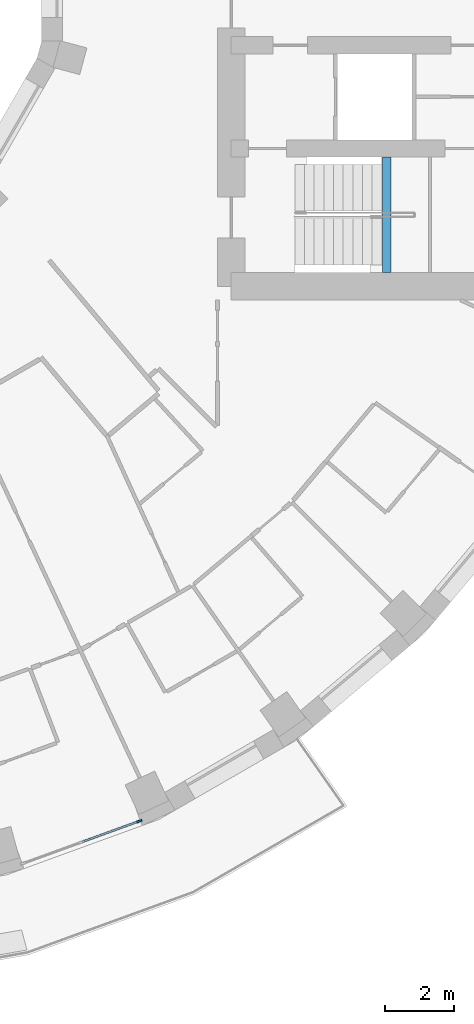
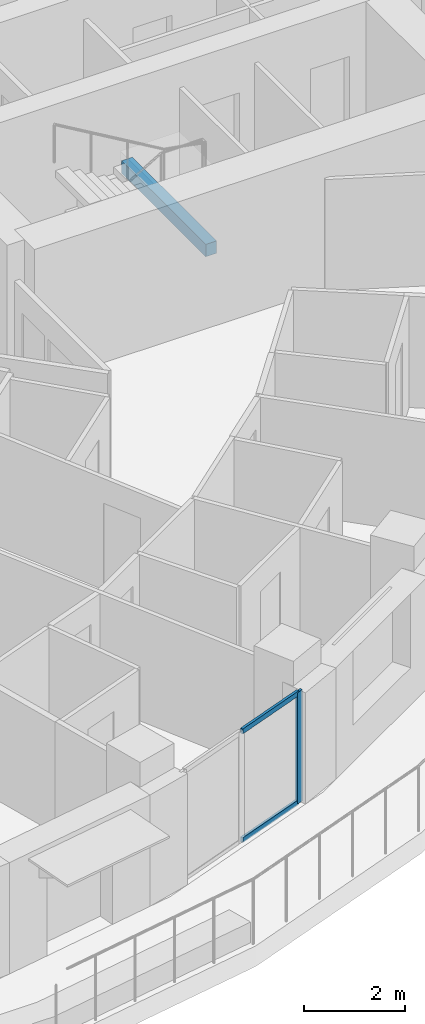
# One storey, part 3 of 16: 3 members, 1 beam, 1 element without a shape of its own.
"""IFC4 building model written with IfcOpenShell, lengths in metres."""

from ifc_helpers import new_model, si_unit, direction, frame, origin, origin_2d, place, context, subcontext, project, spatial, rectangle, extrude, material, layer, layer_set, material_profile, profile_set, type_object, element, aggregate, save


model = new_model("IFC4")

# Units and contexts
model_context = context("Model", 3, precision=1e-05, world=origin(), true_north=direction((0.0, 1.0)))
body_context = subcontext(model_context, "Body", "Model", "MODEL_VIEW")
ifc_project = project(units=[si_unit("LENGTHUNIT", "METRE"), si_unit("AREAUNIT", "SQUARE_METRE"), si_unit("VOLUMEUNIT", "CUBIC_METRE"), si_unit("PLANEANGLEUNIT", "RADIAN"), si_unit("MASSUNIT", "GRAM", prefix="KILO")], contexts=[model_context])

# Site, building, storey
site_placement = place(None, origin())
site = spatial("IfcSite", under=ifc_project, at=site_placement, CompositionType="ELEMENT")
building_placement = place(site_placement, origin())
building = spatial("IfcBuilding", under=site, at=building_placement, Name="Saqina Gate Tower", CompositionType="ELEMENT")
storey_placement = place(building_placement, frame((0.0, 0.0, 148.0)))
storey = spatial("IfcBuildingStorey", under=building, at=storey_placement, Name="L42", CompositionType="ELEMENT", Elevation=148.0)

# Curtain wall, members
ifc_material_1 = material(Name="Aluminium glazing", Category="aluminium")
ifc_layer = layer(ifc_material_1, 0.159912109375)
ifc_layer_set = layer_set([ifc_layer], Name="CWT-4")
curtain_wall_type = type_object("IfcCurtainWallType", Name="CWT-4", PredefinedType="NOTDEFINED", material=ifc_layer_set)
curtain_wall_placement = place(storey_placement, origin())
curtain_wall = element("IfcCurtainWall", 1, at=curtain_wall_placement, inside=storey, type_object=curtain_wall_type, Name="Terrace lounge glazing facet 29", PredefinedType="NOTDEFINED")
ifc_material_2 = material(Name="Aluminium", Category="aluminium")
ifc_material_profile_1 = material_profile(ifc_material_2, rectangle(XDim=0.06005859375, YDim=0.159912109375, at=origin_2d()), Name="Aluminium 60x160")
ifc_profile_set_1 = profile_set([ifc_material_profile_1], Name="Aluminium")
member_type_1 = type_object("IfcMemberType", Name="CWT-4M", PredefinedType="MULLION", material=ifc_profile_set_1)
member_1_placement = place(storey_placement, frame((10.833740234375, -24.520751953125, 0.0), z_axis=(0.0, 0.0, 1.0), x_axis=(-0.342015987197, 0.939694133483, 0.0)))
member_1 = element("IfcMember", 2, at=member_1_placement, type_object=member_type_1, Name="CW4-29 mullion 3", PredefinedType="MULLION", context=body_context, shape_type="SweptSolid", body=[
    extrude(rectangle(XDim=0.06005859375, YDim=0.159912109375, at=origin_2d()), origin(), (0.0, 0.0, 1.0), 2.699951171875),
])
ifc_material_3 = material(Name="Aluminium", Category="aluminium")
ifc_material_profile_2 = material_profile(ifc_material_3, rectangle(XDim=0.06005859375, YDim=0.1201171875, at=origin_2d()), Name="Aluminium 60x120")
ifc_profile_set_2 = profile_set([ifc_material_profile_2], Name="Aluminium")
member_type_2 = type_object("IfcMemberType", Name="CWT-4T", PredefinedType="USERDEFINED", material=ifc_profile_set_2)
member_2_placement = place(storey_placement, frame((9.17626953125, -25.1240234375, 0.030029296875), z_axis=(0.93969883573, 0.342003067424, 0.0), x_axis=(-0.342003067424, 0.93969883573, 0.0)))
member_2 = element("IfcMember", 3, at=member_2_placement, type_object=member_type_2, Name="CW4-29 transom 2.1", ObjectType="TRANSOM", PredefinedType="USERDEFINED", context=body_context, shape_type="SweptSolid", body=[
    extrude(rectangle(XDim=0.06005859375, YDim=0.1201171875, at=origin_2d()), origin(), (0.0, 0.0, 1.0), 1.73388671875),
])
member_3_placement = place(storey_placement, frame((9.17626953125, -25.1240234375, 2.669921875), z_axis=(0.93969883573, 0.342003067424, 0.0), x_axis=(-0.342003067424, 0.93969883573, 0.0)))
member_3 = element("IfcMember", 4, at=member_3_placement, type_object=member_type_2, Name="CW4-29 transom 2.2", ObjectType="TRANSOM", PredefinedType="USERDEFINED", context=body_context, shape_type="SweptSolid", body=[
    extrude(rectangle(XDim=0.06005859375, YDim=0.1201171875, at=origin_2d()), origin(), (0.0, 0.0, 1.0), 1.73388671875),
])
aggregate(curtain_wall, [member_1, member_2, member_3])

# Beam
ifc_material_4 = material(Name="Concrete C40/50", Category="concrete")
ifc_material_profile_3 = material_profile(ifc_material_4, rectangle(XDim=0.25, YDim=0.300048828125, at=origin_2d()), Name="STAIR LANDING BEAM")
ifc_profile_set_3 = profile_set([ifc_material_profile_3], Name="Concrete C40/50")
beam_type = type_object("IfcBeamType", Name="STAIR LANDING BEAM", PredefinedType="BEAM", material=ifc_profile_set_3)
beam_placement = place(storey_placement, frame((18.02001953125, -8.60009765625, 1.25), z_axis=(0.0, 1.0, 0.0), x_axis=(-1.0, 0.0, 0.0)))
element("IfcBeam", 5, at=beam_placement, inside=storey, type_object=beam_type, Name="EXIT STAIR 2 LANDING BEAM", PredefinedType="BEAM", context=body_context, shape_type="SweptSolid", body=[
    extrude(rectangle(XDim=0.25, YDim=0.300048828125, at=origin_2d()), origin(), (0.0, 0.0, 1.0), 3.35009765625),
])

save(model, "model.ifc")
